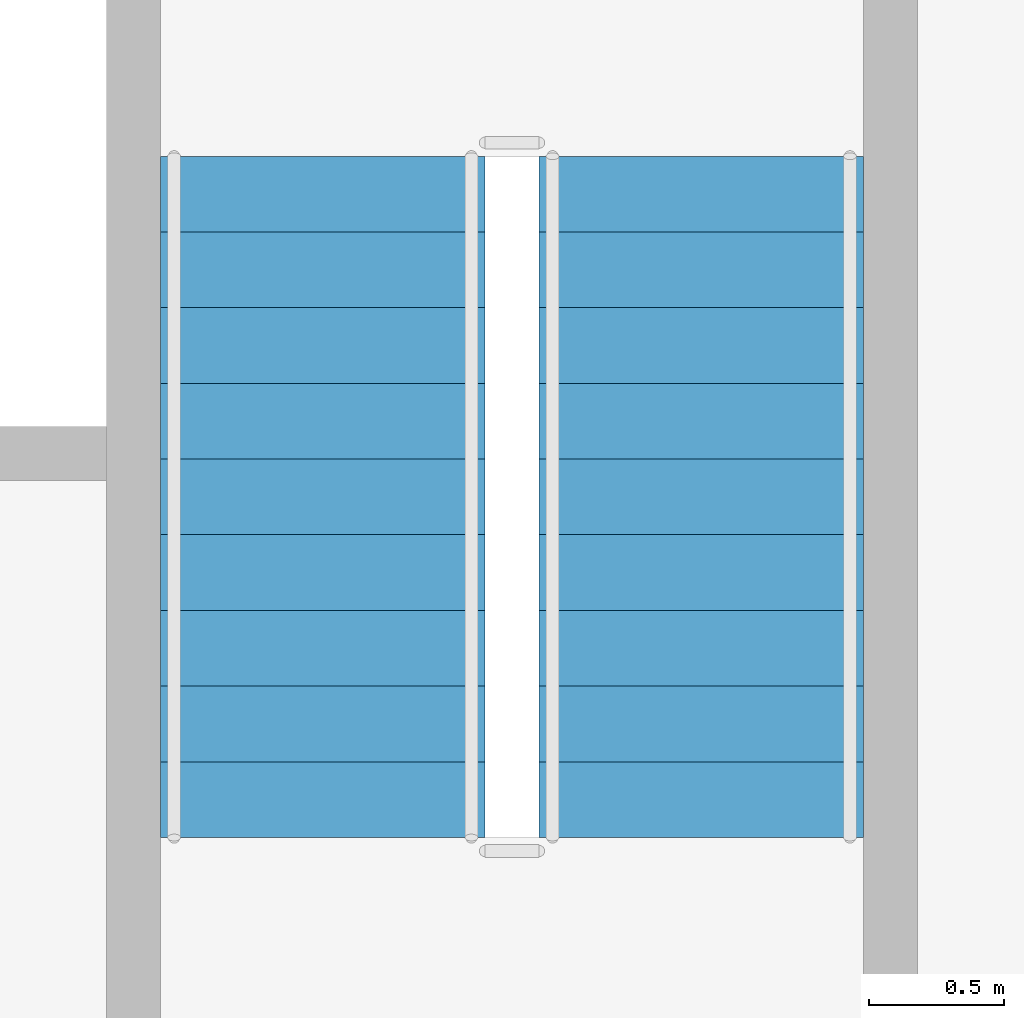
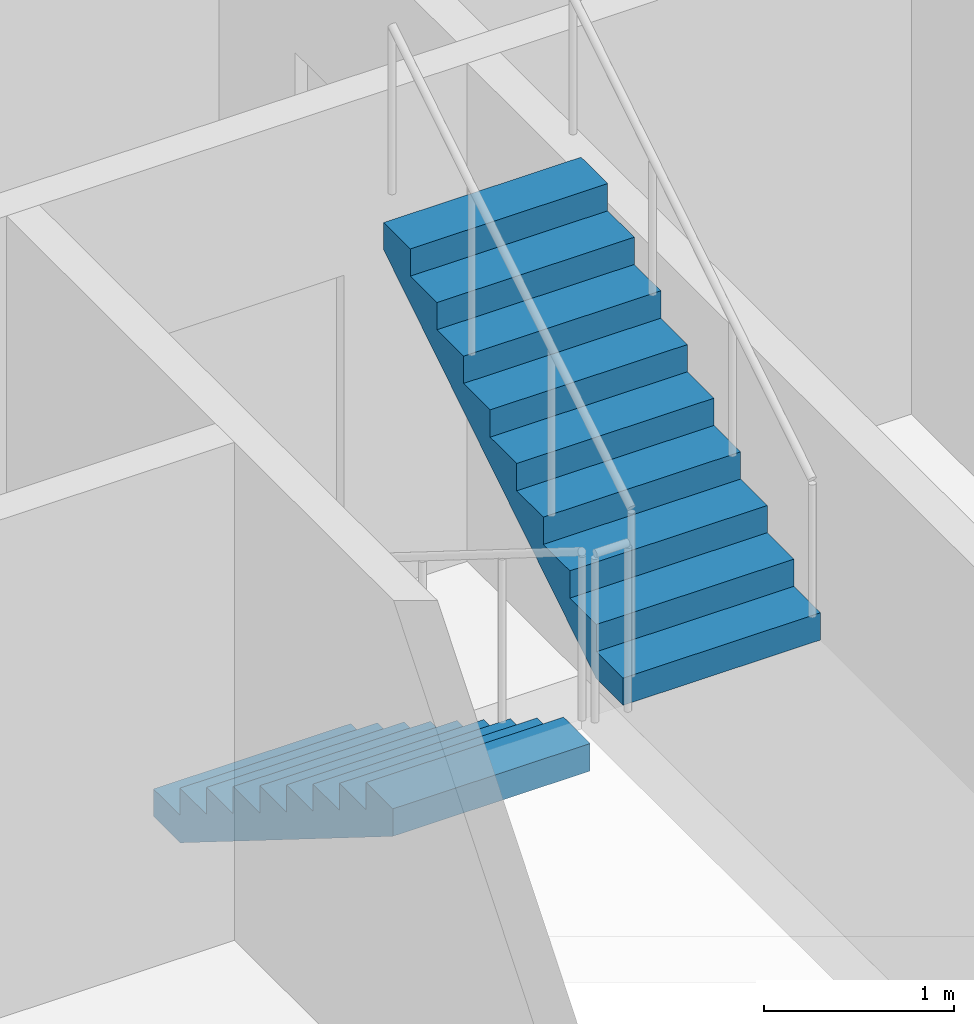
# One storey, part 10 of 21: 2 stair flights, 1 element without a shape of its own.
"""IFC4 building model written with IfcOpenShell, lengths in metres."""

from ifc_helpers import new_model, si_unit, direction, frame, origin, place, context, subcontext, project, spatial, polyline, outline, extrude, material, type_object, element, aggregate, save


model = new_model("IFC4")

# Units and contexts
model_context = context("Model", 3, precision=1e-05, world=origin(), true_north=direction((0.0, 1.0)))
body_context = subcontext(model_context, "Body", "Model", "MODEL_VIEW")
ifc_project = project(units=[si_unit("LENGTHUNIT", "METRE"), si_unit("AREAUNIT", "SQUARE_METRE"), si_unit("VOLUMEUNIT", "CUBIC_METRE"), si_unit("PLANEANGLEUNIT", "RADIAN"), si_unit("MASSUNIT", "GRAM", prefix="KILO")], contexts=[model_context])

# Site, building, storey
site_placement = place(None, origin())
site = spatial("IfcSite", under=ifc_project, at=site_placement, CompositionType="ELEMENT")
building_placement = place(site_placement, origin())
building = spatial("IfcBuilding", under=site, at=building_placement, Name="Kiln Ring Residences", CompositionType="ELEMENT")
storey_placement = place(building_placement, frame((0.0, 0.0, 30.5)))
storey = spatial("IfcBuildingStorey", under=building, at=storey_placement, Name="L06", CompositionType="ELEMENT", Elevation=30.5)

# Stair, stair flights
ifc_material_1 = material(Name="Concrete C40/50", Category="concrete")
stair_type = type_object("IfcStairType", Name="CORE-STAIR", PredefinedType="HALF_TURN_STAIR", material=ifc_material_1)
stair_placement = place(storey_placement, origin())
stair = element("IfcStair", 1, at=stair_placement, inside=storey, type_object=stair_type, Name="L06 stair E-STN", PredefinedType="HALF_TURN_STAIR")
ifc_material_2 = material(Name="Concrete C40/50", Category="concrete")
stair_flight_type = type_object("IfcStairFlightType", Name="CORE-STAIR-FLIGHT", PredefinedType="STRAIGHT", material=ifc_material_2)
stair_flight_1_placement = place(storey_placement, frame((21.39990234375, 8.39990234375, 0.0), z_axis=(0.0, 0.0, 1.0), x_axis=(0.0, -1.0, 0.0)))
stair_flight_1 = element("IfcStairFlight", 2, at=stair_flight_1_placement, type_object=stair_flight_type, Name="E-STN flight 1", NumberOfRisers=10, NumberOfTreads=9, PredefinedType="STRAIGHT", RiserHeight=0.175, TreadLength=0.28, context=body_context, shape_type="SweptSolid", body=[
    extrude(outline(polyline([(0.0, 0.0), (0.0, 0.175048828125), (0.280029296875, 0.175048828125), (0.280029296875, 0.35009765625), (0.56005859375, 0.35009765625), (0.56005859375, 0.52490234375), (0.840087890625, 0.52490234375), (0.840087890625, 0.699951171875), (1.1201171875, 0.699951171875), (1.1201171875, 0.875), (1.39990234375, 0.875), (1.39990234375, 1.050048828125), (1.679931640625, 1.050048828125), (1.679931640625, 1.22509765625), (1.9599609375, 1.22509765625), (1.9599609375, 1.39990234375), (2.239990234375, 1.39990234375), (2.239990234375, 1.574951171875), (2.52001953125, 1.574951171875), (2.52001953125, 1.75), (2.52001953125, 1.398193359375), (0.28271484375, 0.0), (0.0, 0.0)])), frame((0.0, 0.60009765625, 0.0), z_axis=(0.0, -1.0, 0.0), x_axis=(1.0, 0.0, 0.0)), (0.0, 0.0, 1.0), 1.199951171875),
])
stair_flight_2_placement = place(storey_placement, frame((22.800048828125, 5.8798828125, 1.75), z_axis=(0.0, 0.0, 1.0), x_axis=(0.0, 1.0, 0.0)))
stair_flight_2 = element("IfcStairFlight", 3, at=stair_flight_2_placement, type_object=stair_flight_type, Name="E-STN flight 2", NumberOfRisers=10, NumberOfTreads=9, PredefinedType="STRAIGHT", RiserHeight=0.175, TreadLength=0.28, context=body_context, shape_type="SweptSolid", body=[
    extrude(outline(polyline([(0.0, 0.0), (0.0, 0.175048828125), (0.280029296875, 0.175048828125), (0.280029296875, 0.35009765625), (0.56005859375, 0.35009765625), (0.56005859375, 0.52490234375), (0.840087890625, 0.52490234375), (0.840087890625, 0.699951171875), (1.1201171875, 0.699951171875), (1.1201171875, 0.875), (1.39990234375, 0.875), (1.39990234375, 1.050048828125), (1.679931640625, 1.050048828125), (1.679931640625, 1.22509765625), (1.9599609375, 1.22509765625), (1.9599609375, 1.39990234375), (2.239990234375, 1.39990234375), (2.239990234375, 1.574951171875), (2.52001953125, 1.574951171875), (2.52001953125, 1.75), (2.52001953125, 1.398193359375), (0.28271484375, 0.0), (0.0, 0.0)])), frame((0.0, 0.60009765625, 0.0), z_axis=(0.0, -1.0, 0.0), x_axis=(1.0, 0.0, 0.0)), (0.0, 0.0, 1.0), 1.199951171875),
])
aggregate(stair, [stair_flight_1, stair_flight_2])

save(model, "model.ifc")
